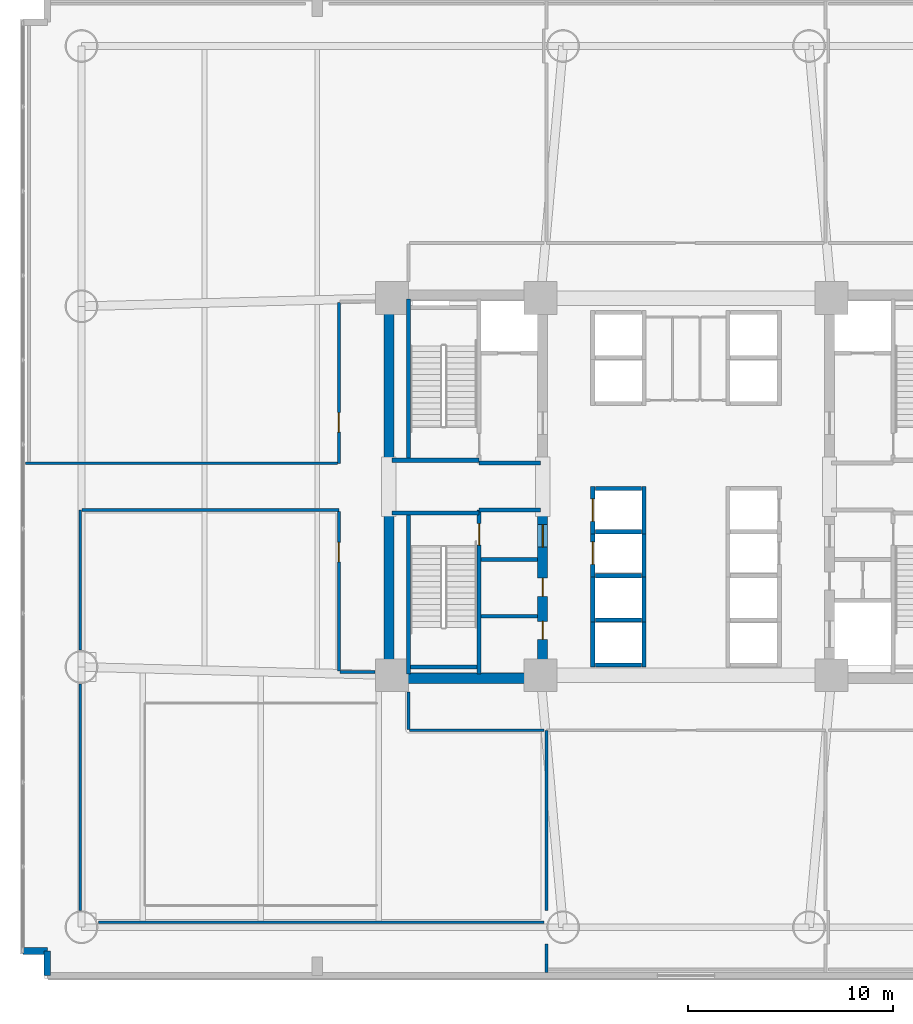
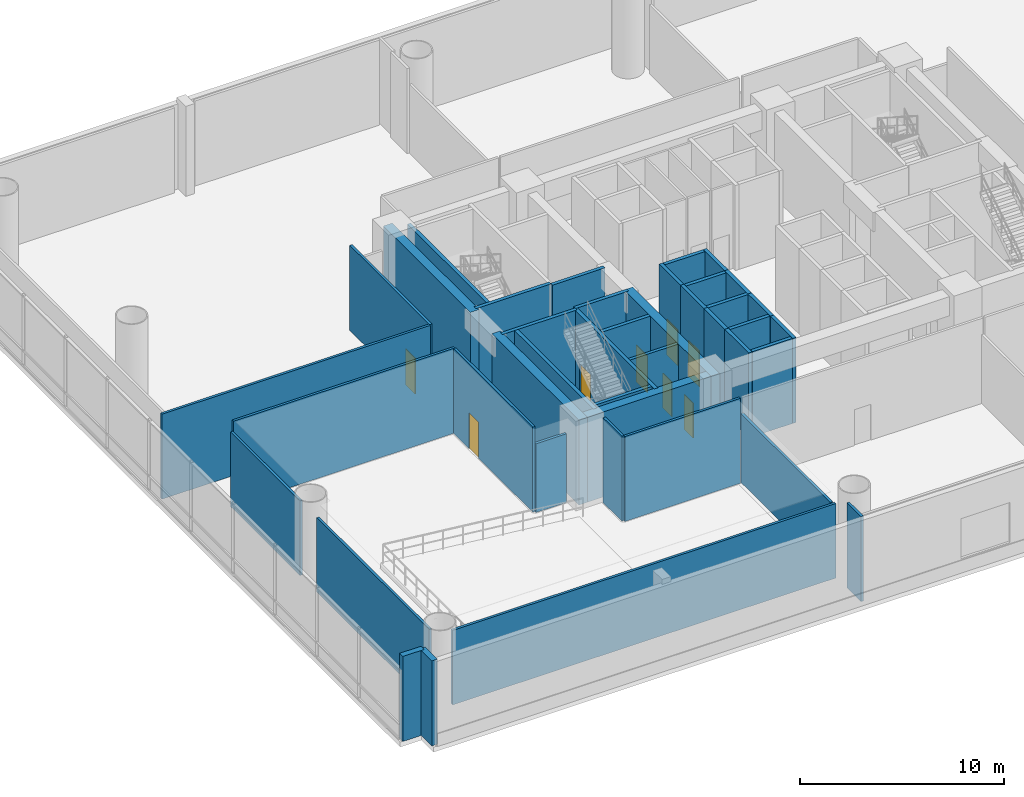
# One storey, part 7 of 15: 41 walls, 8 doors, 8 openings.
"""IFC4 building model written with IfcOpenShell, lengths in metres."""

from ifc_helpers import new_model, si_unit, direction, frame, frame_2d, origin, place, context, subcontext, project, spatial, rectangle, extrude, source, transform, mapped, material, layer, layer_set, type_object, element, fill, save


model = new_model("IFC4")

# Units and contexts
model_context = context("Model", 3, precision=1e-05, world=origin(), true_north=direction((0.0, 1.0)))
body_context = subcontext(model_context, "Body", "Model", "MODEL_VIEW")
ifc_project = project(units=[si_unit("LENGTHUNIT", "METRE"), si_unit("AREAUNIT", "SQUARE_METRE"), si_unit("VOLUMEUNIT", "CUBIC_METRE"), si_unit("PLANEANGLEUNIT", "RADIAN"), si_unit("MASSUNIT", "GRAM", prefix="KILO")], contexts=[model_context])

# Site, building, storey
site_placement = place(None, origin())
site = spatial("IfcSite", under=ifc_project, at=site_placement, CompositionType="ELEMENT")
building_placement = place(site_placement, origin())
building = spatial("IfcBuilding", under=site, at=building_placement, Name="Zahravan Cultural Tower", CompositionType="ELEMENT")
storey_placement = place(building_placement, frame((0.0, 0.0, 12.60009765625)))
storey = spatial("IfcBuildingStorey", under=building, at=storey_placement, Name="L02", CompositionType="ELEMENT", Elevation=12.60009765625)

# Wall, openings, doors
ifc_material_1 = material(Name="Concrete C60/75", Category="concrete")
ifc_layer_1 = layer(ifc_material_1, 0.5)
ifc_layer_set_1 = layer_set([ifc_layer_1], Name="Concrete C60/75")
wall_type_1 = type_object("IfcWallType", Name="CW-SHEAR-500-C60", PredefinedType="SHEAR", material=ifc_layer_set_1)
wall_1_placement = place(storey_placement, frame((29.0, 17.39990234375, 0.0), z_axis=(0.0, 0.0, 1.0), x_axis=(0.0, 1.0, 0.0)))
wall_1 = element("IfcWall", 1, at=wall_1_placement, inside=storey, type_object=wall_type_1, Name="L02 Core Shear Wall CW-W-ES-L02", PredefinedType="SHEAR", context=body_context, shape_type="SweptSolid", body=[
    extrude(rectangle(XDim=8.550048828125, YDim=0.5, at=frame_2d((4.27490234375, 0.0))), origin(), (0.0, 0.0, 1.0), 5.099853515625),
])
opening_1_placement = place(wall_1_placement, frame((6.64990234375, 0.0, 0.0)))
opening_1 = element("IfcOpeningElement", 2, at=opening_1_placement, cuts=wall_1, Name="Opening D-L02-07", PredefinedType="OPENING", context=body_context, shape_type="SweptSolid", body=[
    extrude(rectangle(XDim=1.10009765625, YDim=2.199951171875, at=frame_2d((0.550048828125, 1.10009765625))), frame((0.0, 0.260009765625, 0.0), z_axis=(0.0, -1.0, 0.0), x_axis=(1.0, 0.0, 0.0)), (0.0, 0.0, 1.0), 0.52001953125),
])
opening_2_placement = place(wall_1_placement, frame((2.14990234375, 0.0, 0.0)))
opening_2 = element("IfcOpeningElement", 3, at=opening_2_placement, cuts=wall_1, Name="Opening D-L02-09", PredefinedType="OPENING", context=body_context, shape_type="SweptSolid", body=[
    extrude(rectangle(XDim=0.8798828125, YDim=2.10009765625, at=frame_2d((0.43994140625, 1.050048828125))), frame((0.0, 0.260009765625, 0.0), z_axis=(0.0, -1.0, 0.0), x_axis=(1.0, 0.0, 0.0)), (0.0, 0.0, 1.0), 0.52001953125),
])
opening_3_placement = place(wall_1_placement, frame((4.25, 0.0, 0.0)))
opening_3 = element("IfcOpeningElement", 4, at=opening_3_placement, cuts=wall_1, Name="Opening D-L02-10", PredefinedType="OPENING", context=body_context, shape_type="SweptSolid", body=[
    extrude(rectangle(XDim=0.8798828125, YDim=2.10009765625, at=frame_2d((0.43994140625, 1.050048828125))), frame((0.0, 0.260009765625, 0.0), z_axis=(0.0, -1.0, 0.0), x_axis=(1.0, 0.0, 0.0)), (0.0, 0.0, 1.0), 0.52001953125),
])
ifc_material_2 = material(Name="Steel ASTM A572 Grade 50", Category="steel")
door_type_1 = type_object("IfcDoorType", Name="DR-LOBBY-1100", OperationType="NOTDEFINED", PredefinedType="DOOR", material=ifc_material_2)
shared_shape_1 = source(origin(), body_context, "Body", "SweptSolid", [
    extrude(rectangle(XDim=1.10009765625, YDim=2.199951171875, at=frame_2d((0.550048828125, 1.10009765625))), frame((0.0, 0.02490234375, 0.0), z_axis=(0.0, -1.0, 0.0), x_axis=(1.0, 0.0, 0.0)), (0.0, 0.0, 1.0), 0.050048828125),
])
door_1_placement = place(opening_1_placement, origin())
door_1 = element("IfcDoor", 5, at=door_1_placement, inside=storey, type_object=door_type_1, Name="L02 Door D-L02-07", OperationType="SINGLE_SWING_RIGHT", OverallHeight=2.199951171875, OverallWidth=1.10009765625, PredefinedType="DOOR", context=body_context, shape_type="MappedRepresentation", body=[
    mapped(shared_shape_1, transform((0.0, 0.0, 0.0), x_axis=(1.0, 0.0, 0.0), y_axis=(0.0, 1.0, 0.0), z_axis=(0.0, 0.0, 1.0), scale=1.0)),
])
fill(opening_1, door_1)
door_type_2 = type_object("IfcDoorType", Name="DR-SVC-880", OperationType="NOTDEFINED", PredefinedType="DOOR", material=ifc_material_2)
shared_shape_2 = source(origin(), body_context, "Body", "SweptSolid", [
    extrude(rectangle(XDim=0.8798828125, YDim=2.10009765625, at=frame_2d((0.43994140625, 1.050048828125))), frame((0.0, 0.02490234375, 0.0), z_axis=(0.0, -1.0, 0.0), x_axis=(1.0, 0.0, 0.0)), (0.0, 0.0, 1.0), 0.050048828125),
])
door_2_placement = place(opening_2_placement, origin())
door_2 = element("IfcDoor", 6, at=door_2_placement, inside=storey, type_object=door_type_2, Name="L02 Door D-L02-09", OperationType="SINGLE_SWING_RIGHT", OverallHeight=2.10009765625, OverallWidth=0.8798828125, PredefinedType="DOOR", context=body_context, shape_type="MappedRepresentation", body=[
    mapped(shared_shape_2, transform((0.0, 0.0, 0.0), x_axis=(1.0, 0.0, 0.0), y_axis=(0.0, 1.0, 0.0), z_axis=(0.0, 0.0, 1.0), scale=1.0)),
])
fill(opening_2, door_2)
door_3_placement = place(opening_3_placement, origin())
door_3 = element("IfcDoor", 7, at=door_3_placement, inside=storey, type_object=door_type_2, Name="L02 Door D-L02-10", OperationType="SINGLE_SWING_LEFT", OverallHeight=2.10009765625, OverallWidth=0.8798828125, PredefinedType="DOOR", context=body_context, shape_type="MappedRepresentation", body=[
    mapped(shared_shape_2, transform((0.0, 0.0, 0.0), x_axis=(1.0, 0.0, 0.0), y_axis=(0.0, 1.0, 0.0), z_axis=(0.0, 0.0, 1.0), scale=1.0)),
])
fill(opening_3, door_3)

# Wall, opening, door
ifc_material_3 = material(Name="Gypsum plasterboard partition")
ifc_layer_2 = layer(ifc_material_3, 0.139892578125)
ifc_layer_set_2 = layer_set([ifc_layer_2], Name="Gypsum plasterboard partition")
wall_type_2 = type_object("IfcWallType", Name="W-PART-140", PredefinedType="PARTITIONING", material=ifc_layer_set_2)
wall_2_placement = place(storey_placement, frame((19.06005859375, 25.784912109375, 0.0), z_axis=(0.0, 0.0, 1.0), x_axis=(0.0, -1.0, 0.0)))
wall_2 = element("IfcWall", 8, at=wall_2_placement, inside=storey, type_object=wall_type_2, Name="L02 Interior Wall 092", PredefinedType="PARTITIONING", context=body_context, shape_type="SweptSolid", body=[
    extrude(rectangle(XDim=7.777587890625, YDim=0.139892578125, at=frame_2d((3.888671875, 0.0))), origin(), (0.0, 0.0, 1.0), 5.099853515625),
])
opening_4_placement = place(wall_2_placement, frame((1.502197265625, 0.0, 0.0)))
opening_4 = element("IfcOpeningElement", 9, at=opening_4_placement, cuts=wall_2, Name="Opening D-L02-16", PredefinedType="OPENING", context=body_context, shape_type="SweptSolid", body=[
    extrude(rectangle(XDim=0.949951171875, YDim=2.14990234375, at=frame_2d((0.47509765625, 1.074951171875))), frame((0.0, 0.079833984375, 0.0), z_axis=(0.0, -1.0, 0.0), x_axis=(1.0, 0.0, 0.0)), (0.0, 0.0, 1.0), 0.159912109375),
])
ifc_material_4 = material(Name="Anodised bronze-aluminium mullion", Category="aluminium")
door_type_3 = type_object("IfcDoorType", Name="DR-ROOM-950", OperationType="NOTDEFINED", PredefinedType="DOOR", material=ifc_material_4)
shared_shape_3 = source(origin(), body_context, "Body", "SweptSolid", [
    extrude(rectangle(XDim=0.949951171875, YDim=2.14990234375, at=frame_2d((0.47509765625, 1.074951171875))), frame((0.0, 0.02490234375, 0.0), z_axis=(0.0, -1.0, 0.0), x_axis=(1.0, 0.0, 0.0)), (0.0, 0.0, 1.0), 0.050048828125),
])
door_4_placement = place(opening_4_placement, origin())
door_4 = element("IfcDoor", 10, at=door_4_placement, inside=storey, type_object=door_type_3, Name="L02 Door D-L02-16", OperationType="SINGLE_SWING_LEFT", OverallHeight=2.14990234375, OverallWidth=0.949951171875, PredefinedType="DOOR", context=body_context, shape_type="MappedRepresentation", body=[
    mapped(shared_shape_3, transform((0.0, 0.0, 0.0), x_axis=(1.0, 0.0, 0.0), y_axis=(0.0, 1.0, 0.0), z_axis=(0.0, 0.0, 1.0), scale=1.0)),
])
fill(opening_4, door_4)

wall_3_placement = place(storey_placement, frame((19.06005859375, 35.994140625, 0.0), z_axis=(0.0, 0.0, 1.0), x_axis=(0.0, -1.0, 0.0)))
wall_3 = element("IfcWall", 11, at=wall_3_placement, inside=storey, type_object=wall_type_2, Name="L02 Interior Wall 100", PredefinedType="PARTITIONING", context=body_context, shape_type="SweptSolid", body=[
    extrude(rectangle(XDim=7.854248046875, YDim=0.139892578125, at=frame_2d((3.92724609375, 0.0))), origin(), (0.0, 0.0, 1.0), 5.099853515625),
])
opening_5_placement = place(wall_3_placement, frame((5.38525390625, 0.0, 0.0)))
opening_5 = element("IfcOpeningElement", 12, at=opening_5_placement, cuts=wall_3, Name="Opening D-L02-17", PredefinedType="OPENING", context=body_context, shape_type="SweptSolid", body=[
    extrude(rectangle(XDim=0.949951171875, YDim=2.14990234375, at=frame_2d((0.47509765625, 1.074951171875))), frame((0.0, 0.079833984375, 0.0), z_axis=(0.0, -1.0, 0.0), x_axis=(1.0, 0.0, 0.0)), (0.0, 0.0, 1.0), 0.159912109375),
])
door_5_placement = place(opening_5_placement, origin())
door_5 = element("IfcDoor", 13, at=door_5_placement, inside=storey, type_object=door_type_3, Name="L02 Door D-L02-17", OperationType="SINGLE_SWING_RIGHT", OverallHeight=2.14990234375, OverallWidth=0.949951171875, PredefinedType="DOOR", context=body_context, shape_type="MappedRepresentation", body=[
    mapped(shared_shape_3, transform((0.0, 0.0, 0.0), x_axis=(1.0, 0.0, 0.0), y_axis=(0.0, 1.0, 0.0), z_axis=(0.0, 0.0, 1.0), scale=1.0)),
])
fill(opening_5, door_5)

ifc_material_5 = material(Name="Concrete C45/55", Category="concrete")
ifc_layer_3 = layer(ifc_material_5, 0.199951171875)
ifc_layer_set_3 = layer_set([ifc_layer_3], Name="Concrete C45/55")
wall_type_3 = type_object("IfcWallType", Name="W-SHAFT-200", PredefinedType="SOLIDWALL", material=ifc_layer_set_3)
wall_4_placement = place(storey_placement, frame((25.89990234375, 17.85009765625, 0.0), z_axis=(0.0, 0.0, 1.0), x_axis=(0.0, 1.0, 0.0)))
wall_4 = element("IfcWall", 14, at=wall_4_placement, inside=storey, type_object=wall_type_3, Name="L02 Interior Wall 005", PredefinedType="SOLIDWALL", context=body_context, shape_type="SweptSolid", body=[
    extrude(rectangle(XDim=8.0, YDim=0.199951171875, at=frame_2d((4.0, 0.0))), origin(), (0.0, 0.0, 1.0), 5.099853515625),
])
opening_6_placement = place(wall_4_placement, frame((6.300048828125, 0.0, 0.0)))
opening_6 = element("IfcOpeningElement", 15, at=opening_6_placement, cuts=wall_4, Name="Opening D-L02-04", PredefinedType="OPENING", context=body_context, shape_type="SweptSolid", body=[
    extrude(rectangle(XDim=1.050048828125, YDim=2.14990234375, at=frame_2d((0.52490234375, 1.074951171875))), frame((0.0, 0.10986328125, 0.0), z_axis=(0.0, -1.0, 0.0), x_axis=(1.0, 0.0, 0.0)), (0.0, 0.0, 1.0), 0.219970703125),
])
door_type_4 = type_object("IfcDoorType", Name="DR-STAIR-1050", OperationType="NOTDEFINED", PredefinedType="DOOR", material=ifc_material_2)
shared_shape_4 = source(origin(), body_context, "Body", "SweptSolid", [
    extrude(rectangle(XDim=1.050048828125, YDim=2.14990234375, at=frame_2d((0.52490234375, 1.074951171875))), frame((0.0, 0.02490234375, 0.0), z_axis=(0.0, -1.0, 0.0), x_axis=(1.0, 0.0, 0.0)), (0.0, 0.0, 1.0), 0.050048828125),
])
door_6_placement = place(opening_6_placement, origin())
door_6 = element("IfcDoor", 16, at=door_6_placement, inside=storey, type_object=door_type_4, Name="L02 Door D-L02-04", OperationType="SINGLE_SWING_LEFT", OverallHeight=2.14990234375, OverallWidth=1.050048828125, PredefinedType="DOOR", context=body_context, shape_type="MappedRepresentation", body=[
    mapped(shared_shape_4, transform((0.0, 0.0, 0.0), x_axis=(1.0, 0.0, 0.0), y_axis=(0.0, 1.0, 0.0), z_axis=(0.0, 0.0, 1.0), scale=1.0)),
])
fill(opening_6, door_6)

wall_5_placement = place(storey_placement, frame((31.449951171875, 24.699951171875, 0.0), z_axis=(0.0, 0.0, 1.0), x_axis=(0.0, 1.0, 0.0)))
wall_5 = element("IfcWall", 17, at=wall_5_placement, inside=storey, type_object=wall_type_3, Name="L02 Interior Wall 056", PredefinedType="SOLIDWALL", context=body_context, shape_type="SweptSolid", body=[
    extrude(rectangle(XDim=2.300048828125, YDim=0.199951171875, at=frame_2d((1.14990234375, 0.0))), origin(), (0.0, 0.0, 1.0), 5.099853515625),
])
opening_7_placement = place(wall_5_placement, frame((0.60009765625, 0.0, 0.0)))
opening_7 = element("IfcOpeningElement", 18, at=opening_7_placement, cuts=wall_5, Name="Opening LD-L02-04", PredefinedType="OPENING", context=body_context, shape_type="SweptSolid", body=[
    extrude(rectangle(XDim=1.10009765625, YDim=2.14990234375, at=frame_2d((0.550048828125, 1.074951171875))), frame((0.0, 0.10986328125, 0.0), z_axis=(0.0, -1.0, 0.0), x_axis=(1.0, 0.0, 0.0)), (0.0, 0.0, 1.0), 0.219970703125),
])
door_type_5 = type_object("IfcDoorType", Name="DR-LIFT-1100", OperationType="DOUBLE_DOOR_SLIDING", PredefinedType="DOOR", material=ifc_material_2)
shared_shape_5 = source(origin(), body_context, "Body", "SweptSolid", [
    extrude(rectangle(XDim=1.10009765625, YDim=2.14990234375, at=frame_2d((0.550048828125, 1.074951171875))), frame((0.0, 0.02490234375, 0.0), z_axis=(0.0, -1.0, 0.0), x_axis=(1.0, 0.0, 0.0)), (0.0, 0.0, 1.0), 0.050048828125),
])
door_7_placement = place(opening_7_placement, origin())
door_7 = element("IfcDoor", 19, at=door_7_placement, inside=storey, type_object=door_type_5, Name="L02 Door LD-L02-04", OperationType="DOUBLE_DOOR_SLIDING", OverallHeight=2.14990234375, OverallWidth=1.10009765625, PredefinedType="DOOR", context=body_context, shape_type="MappedRepresentation", body=[
    mapped(shared_shape_5, transform((0.0, 0.0, 0.0), x_axis=(1.0, 0.0, 0.0), y_axis=(0.0, 1.0, 0.0), z_axis=(0.0, 0.0, 1.0), scale=1.0)),
])
fill(opening_7, door_7)

wall_6_placement = place(storey_placement, frame((31.449951171875, 22.60009765625, 0.0), z_axis=(0.0, 0.0, 1.0), x_axis=(0.0, 1.0, 0.0)))
wall_6 = element("IfcWall", 20, at=wall_6_placement, inside=storey, type_object=wall_type_3, Name="L02 Interior Wall 060", PredefinedType="SOLIDWALL", context=body_context, shape_type="SweptSolid", body=[
    extrude(rectangle(XDim=2.2998046875, YDim=0.199951171875, at=frame_2d((1.14990234375, 0.0))), origin(), (0.0, 0.0, 1.0), 5.099853515625),
])
opening_8_placement = place(wall_6_placement, frame((0.60009765625, 0.0, 0.0)))
opening_8 = element("IfcOpeningElement", 21, at=opening_8_placement, cuts=wall_6, Name="Opening LD-L02-05", PredefinedType="OPENING", context=body_context, shape_type="SweptSolid", body=[
    extrude(rectangle(XDim=1.10009765625, YDim=2.14990234375, at=frame_2d((0.550048828125, 1.074951171875))), frame((0.0, 0.10986328125, 0.0), z_axis=(0.0, -1.0, 0.0), x_axis=(1.0, 0.0, 0.0)), (0.0, 0.0, 1.0), 0.219970703125),
])
door_8_placement = place(opening_8_placement, origin())
door_8 = element("IfcDoor", 22, at=door_8_placement, inside=storey, type_object=door_type_5, Name="L02 Door LD-L02-05", OperationType="DOUBLE_DOOR_SLIDING", OverallHeight=2.14990234375, OverallWidth=1.10009765625, PredefinedType="DOOR", context=body_context, shape_type="MappedRepresentation", body=[
    mapped(shared_shape_5, transform((0.0, 0.0, 0.0), x_axis=(1.0, 0.0, 0.0), y_axis=(0.0, 1.0, 0.0), z_axis=(0.0, 0.0, 1.0), scale=1.0)),
])
fill(opening_8, door_8)

# Walls
shared_shape_6 = source(origin(), body_context, "Body", "SweptSolid", [
    extrude(rectangle(XDim=8.550048828125, YDim=0.5, at=frame_2d((4.27490234375, 0.0))), origin(), (0.0, 0.0, 1.0), 5.099853515625),
])
for number, where, z_axis, x_axis, name in (
    (23, (21.5, 17.39990234375, 0.0), (0.0, 0.0, 1.0), (0.0, 1.0, 0.0), "L02 Core Shear Wall CW-W-WS-L02"),
    (24, (21.5, 28.050048828125, 0.0), (0.0, 0.0, 1.0), (0.0, 1.0, 0.0), "L02 Core Shear Wall CW-W-WN-L02"),
):
    element("IfcWall", number, at=place(storey_placement, frame(where, z_axis=z_axis, x_axis=x_axis)), inside=storey, type_object=wall_type_1, Name=name, PredefinedType="SHEAR", context=body_context, shape_type="MappedRepresentation", body=[
        mapped(shared_shape_6, transform((0.0, 0.0, 0.0), x_axis=(1.0, 0.0, 0.0), y_axis=(0.0, 1.0, 0.0), z_axis=(0.0, 0.0, 1.0), scale=1.0)),
    ])
shared_shape_7 = source(origin(), body_context, "Body", "SweptSolid", [
    extrude(rectangle(XDim=7.0, YDim=0.5, at=frame_2d((3.5, 0.0))), origin(), (0.0, 0.0, 1.0), 5.099853515625),
])
wall_7_placement = place(storey_placement, frame((21.75, 17.64990234375, 0.0), z_axis=(0.0, 0.0, 1.0), x_axis=(1.0, 0.0, 0.0)))
element("IfcWall", 25, at=wall_7_placement, inside=storey, type_object=wall_type_1, Name="L02 Core Shear Wall CW-W-S-L02", PredefinedType="SHEAR", context=body_context, shape_type="MappedRepresentation", body=[
    mapped(shared_shape_7, transform((0.0, 0.0, 0.0), x_axis=(1.0, 0.0, 0.0), y_axis=(0.0, 1.0, 0.0), z_axis=(0.0, 0.0, 1.0), scale=1.0)),
])
ifc_material_6 = material(Name="Precast concrete C40/50", Category="concrete")
ifc_layer_4 = layer(ifc_material_6, 0.320068359375)
ifc_layer_set_4 = layer_set([ifc_layer_4], Name="Precast concrete C40/50")
wall_type_4 = type_object("IfcWallType", Name="EW-TC-320", PredefinedType="SOLIDWALL", material=ifc_layer_set_4)
shared_shape_8 = source(origin(), body_context, "Body", "SweptSolid", [
    extrude(rectangle(XDim=1.2001953125, YDim=0.320068359375, at=frame_2d((0.60009765625, 0.0))), origin(), (0.0, 0.0, 1.0), 5.099853515625),
])
for number, where, z_axis, x_axis, name in (
    (26, (4.840087890625, 3.139892578125, 0.0), (0.0, 0.0, 1.0), (0.0, 1.0, 0.0), "L02 Exterior Masonry Frame Wall 04"),
    (27, (4.840087890625, 4.340087890625, 0.0), (0.0, 0.0, 1.0), (-1.0, 0.0, 0.0), "L02 Exterior Masonry Frame Wall 05"),
):
    element("IfcWall", number, at=place(storey_placement, frame(where, z_axis=z_axis, x_axis=x_axis)), inside=storey, type_object=wall_type_4, Name=name, PredefinedType="SOLIDWALL", context=body_context, shape_type="MappedRepresentation", body=[
        mapped(shared_shape_8, transform((0.0, 0.0, 0.0), x_axis=(1.0, 0.0, 0.0), y_axis=(0.0, 1.0, 0.0), z_axis=(0.0, 0.0, 1.0), scale=1.0)),
    ])
shared_shape_9 = source(origin(), body_context, "Body", "SweptSolid", [
    extrude(rectangle(XDim=7.869873046875, YDim=0.199951171875, at=frame_2d((3.93505859375, 0.0))), origin(), (0.0, 0.0, 1.0), 5.099853515625),
])
for number, where, z_axis, x_axis, name in (
    (28, (22.449951171875, 17.85009765625, 0.0), (0.0, 0.0, 1.0), (0.0, 1.0, 0.0), "L02 Interior Wall 001"),
    (29, (22.449951171875, 28.280029296875, 0.0), (0.0, 0.0, 1.0), (0.0, 1.0, 0.0), "L02 Interior Wall 002"),
):
    element("IfcWall", number, at=place(storey_placement, frame(where, z_axis=z_axis, x_axis=x_axis)), inside=storey, type_object=wall_type_3, Name=name, PredefinedType="SOLIDWALL", context=body_context, shape_type="MappedRepresentation", body=[
        mapped(shared_shape_9, transform((0.0, 0.0, 0.0), x_axis=(1.0, 0.0, 0.0), y_axis=(0.0, 1.0, 0.0), z_axis=(0.0, 0.0, 1.0), scale=1.0)),
    ])
shared_shape_10 = source(origin(), body_context, "Body", "SweptSolid", [
    extrude(rectangle(XDim=4.25, YDim=0.199951171875, at=frame_2d((2.125, 0.0))), origin(), (0.0, 0.0, 1.0), 5.099853515625),
])
for number, where, z_axis, x_axis, name in (
    (30, (21.64990234375, 25.715087890625, 0.0), (0.0, 0.0, 1.0), (1.0, 0.0, 0.0), "L02 Interior Wall 009"),
    (31, (21.64990234375, 28.284912109375, 0.0), (0.0, 0.0, 1.0), (1.0, 0.0, 0.0), "L02 Interior Wall 011"),
):
    element("IfcWall", number, at=place(storey_placement, frame(where, z_axis=z_axis, x_axis=x_axis)), inside=storey, type_object=wall_type_3, Name=name, PredefinedType="SOLIDWALL", context=body_context, shape_type="MappedRepresentation", body=[
        mapped(shared_shape_10, transform((0.0, 0.0, 0.0), x_axis=(1.0, 0.0, 0.0), y_axis=(0.0, 1.0, 0.0), z_axis=(0.0, 0.0, 1.0), scale=1.0)),
    ])
shared_shape_11 = source(origin(), body_context, "Body", "SweptSolid", [
    extrude(rectangle(XDim=3.0, YDim=0.199951171875, at=frame_2d((1.5, 0.0))), origin(), (0.0, 0.0, 1.0), 5.099853515625),
])
for number, where, z_axis, x_axis, name in (
    (32, (25.89990234375, 25.85009765625, 0.0), (0.0, 0.0, 1.0), (1.0, 0.0, 0.0), "L02 Interior Wall 010"),
    (33, (25.89990234375, 28.14990234375, 0.0), (0.0, 0.0, 1.0), (1.0, 0.0, 0.0), "L02 Interior Wall 012"),
):
    element("IfcWall", number, at=place(storey_placement, frame(where, z_axis=z_axis, x_axis=x_axis)), inside=storey, type_object=wall_type_3, Name=name, PredefinedType="SOLIDWALL", context=body_context, shape_type="MappedRepresentation", body=[
        mapped(shared_shape_11, transform((0.0, 0.0, 0.0), x_axis=(1.0, 0.0, 0.0), y_axis=(0.0, 1.0, 0.0), z_axis=(0.0, 0.0, 1.0), scale=1.0)),
    ])
shared_shape_12 = source(origin(), body_context, "Body", "SweptSolid", [
    extrude(rectangle(XDim=3.25, YDim=0.199951171875, at=frame_2d((1.625, 0.0))), origin(), (0.0, 0.0, 1.0), 5.099853515625),
])
wall_8_placement = place(storey_placement, frame((22.550048828125, 18.199951171875, 0.0), z_axis=(0.0, 0.0, 1.0), x_axis=(1.0, 0.0, 0.0)))
element("IfcWall", 34, at=wall_8_placement, inside=storey, type_object=wall_type_3, Name="L02 Interior Wall 019", PredefinedType="SOLIDWALL", context=body_context, shape_type="MappedRepresentation", body=[
    mapped(shared_shape_12, transform((0.0, 0.0, 0.0), x_axis=(1.0, 0.0, 0.0), y_axis=(0.0, 1.0, 0.0), z_axis=(0.0, 0.0, 1.0), scale=1.0)),
])
shared_shape_13 = source(origin(), body_context, "Body", "SweptSolid", [
    extrude(rectangle(XDim=2.75, YDim=0.199951171875, at=frame_2d((1.375, 0.0))), origin(), (0.0, 0.0, 1.0), 5.099853515625),
])
wall_9_placement = place(storey_placement, frame((26.0, 23.449951171875, 0.0), z_axis=(0.0, 0.0, 1.0), x_axis=(1.0, 0.0, 0.0)))
element("IfcWall", 35, at=wall_9_placement, inside=storey, type_object=wall_type_3, Name="L02 Interior Wall 023", PredefinedType="SOLIDWALL", context=body_context, shape_type="MappedRepresentation", body=[
    mapped(shared_shape_13, transform((0.0, 0.0, 0.0), x_axis=(1.0, 0.0, 0.0), y_axis=(0.0, 1.0, 0.0), z_axis=(0.0, 0.0, 1.0), scale=1.0)),
])
ifc_layer_5 = layer(ifc_material_3, 0.179931640625)
ifc_layer_set_5 = layer_set([ifc_layer_5], Name="Gypsum plasterboard partition")
wall_type_5 = type_object("IfcWallType", Name="W-COMP-180", PredefinedType="PARTITIONING", material=ifc_layer_set_5)
shared_shape_14 = source(origin(), body_context, "Body", "SweptSolid", [
    extrude(rectangle(XDim=2.75, YDim=0.179931640625, at=frame_2d((1.375, 0.0))), origin(), (0.0, 0.0, 1.0), 5.099853515625),
])
wall_10_placement = place(storey_placement, frame((26.0, 20.679931640625, 0.0), z_axis=(0.0, 0.0, 1.0), x_axis=(1.0, 0.0, 0.0)))
element("IfcWall", 36, at=wall_10_placement, inside=storey, type_object=wall_type_5, Name="L02 Interior Wall 026", PredefinedType="PARTITIONING", context=body_context, shape_type="MappedRepresentation", body=[
    mapped(shared_shape_14, transform((0.0, 0.0, 0.0), x_axis=(1.0, 0.0, 0.0), y_axis=(0.0, 1.0, 0.0), z_axis=(0.0, 0.0, 1.0), scale=1.0)),
])
shared_shape_15 = source(origin(), body_context, "Body", "SweptSolid", [
    extrude(rectangle(XDim=2.260009765625, YDim=0.199951171875, at=frame_2d((1.1298828125, 0.0))), origin(), (0.0, 0.0, 1.0), 5.099853515625),
])
for number, where, z_axis, x_axis, name in (
    (37, (31.570068359375, 20.5, 0.0), (0.0, 0.0, 1.0), (1.0, 0.0, 0.0), "L02 Interior Wall 044"),
    (38, (31.570068359375, 22.64990234375, 0.0), (0.0, 0.0, 1.0), (1.0, 0.0, 0.0), "L02 Interior Wall 045"),
    (39, (31.570068359375, 18.300048828125, 0.0), (0.0, 0.0, 1.0), (1.0, 0.0, 0.0), "L02 Interior Wall 048"),
    (40, (31.570068359375, 24.800048828125, 0.0), (0.0, 0.0, 1.0), (1.0, 0.0, 0.0), "L02 Interior Wall 058"),
    (41, (31.570068359375, 26.89990234375, 0.0), (0.0, 0.0, 1.0), (1.0, 0.0, 0.0), "L02 Interior Wall 059"),
):
    element("IfcWall", number, at=place(storey_placement, frame(where, z_axis=z_axis, x_axis=x_axis)), inside=storey, type_object=wall_type_3, Name=name, PredefinedType="SOLIDWALL", context=body_context, shape_type="MappedRepresentation", body=[
        mapped(shared_shape_15, transform((0.0, 0.0, 0.0), x_axis=(1.0, 0.0, 0.0), y_axis=(0.0, 1.0, 0.0), z_axis=(0.0, 0.0, 1.0), scale=1.0)),
    ])
shared_shape_16 = source(origin(), body_context, "Body", "SweptSolid", [
    extrude(rectangle(XDim=2.35009765625, YDim=0.199951171875, at=frame_2d((1.175048828125, 0.0))), origin(), (0.0, 0.0, 1.0), 5.099853515625),
])
for number, where, z_axis, x_axis, name in (
    (42, (31.449951171875, 20.39990234375, 0.0), (0.0, 0.0, 1.0), (0.0, 1.0, 0.0), "L02 Interior Wall 042"),
    (43, (33.949951171875, 20.39990234375, 0.0), (0.0, 0.0, 1.0), (0.0, 1.0, 0.0), "L02 Interior Wall 043"),
    (44, (31.449951171875, 18.199951171875, 0.0), (0.0, 0.0, 1.0), (0.0, 1.0, 0.0), "L02 Interior Wall 046"),
    (45, (33.949951171875, 18.199951171875, 0.0), (0.0, 0.0, 1.0), (0.0, 1.0, 0.0), "L02 Interior Wall 047"),
):
    element("IfcWall", number, at=place(storey_placement, frame(where, z_axis=z_axis, x_axis=x_axis)), inside=storey, type_object=wall_type_3, Name=name, PredefinedType="SOLIDWALL", context=body_context, shape_type="MappedRepresentation", body=[
        mapped(shared_shape_16, transform((0.0, 0.0, 0.0), x_axis=(1.0, 0.0, 0.0), y_axis=(0.0, 1.0, 0.0), z_axis=(0.0, 0.0, 1.0), scale=1.0)),
    ])
shared_shape_17 = source(origin(), body_context, "Body", "SweptSolid", [
    extrude(rectangle(XDim=2.300048828125, YDim=0.199951171875, at=frame_2d((1.14990234375, 0.0))), origin(), (0.0, 0.0, 1.0), 5.099853515625),
])
wall_11_placement = place(storey_placement, frame((33.949951171875, 24.699951171875, 0.0), z_axis=(0.0, 0.0, 1.0), x_axis=(0.0, 1.0, 0.0)))
element("IfcWall", 46, at=wall_11_placement, inside=storey, type_object=wall_type_3, Name="L02 Interior Wall 057", PredefinedType="SOLIDWALL", context=body_context, shape_type="MappedRepresentation", body=[
    mapped(shared_shape_17, transform((0.0, 0.0, 0.0), x_axis=(1.0, 0.0, 0.0), y_axis=(0.0, 1.0, 0.0), z_axis=(0.0, 0.0, 1.0), scale=1.0)),
])
shared_shape_18 = source(origin(), body_context, "Body", "SweptSolid", [
    extrude(rectangle(XDim=2.2998046875, YDim=0.199951171875, at=frame_2d((1.14990234375, 0.0))), origin(), (0.0, 0.0, 1.0), 5.099853515625),
])
wall_12_placement = place(storey_placement, frame((33.949951171875, 22.60009765625, 0.0), z_axis=(0.0, 0.0, 1.0), x_axis=(0.0, 1.0, 0.0)))
element("IfcWall", 47, at=wall_12_placement, inside=storey, type_object=wall_type_3, Name="L02 Interior Wall 061", PredefinedType="SOLIDWALL", context=body_context, shape_type="MappedRepresentation", body=[
    mapped(shared_shape_18, transform((0.0, 0.0, 0.0), x_axis=(1.0, 0.0, 0.0), y_axis=(0.0, 1.0, 0.0), z_axis=(0.0, 0.0, 1.0), scale=1.0)),
])
shared_shape_19 = source(origin(), body_context, "Body", "SweptSolid", [
    extrude(rectangle(XDim=1.3798828125, YDim=0.139892578125, at=frame_2d((0.68994140625, 0.0))), origin(), (0.0, 0.0, 1.0), 5.099853515625),
])
wall_13_placement = place(storey_placement, frame((29.18994140625, 3.300048828125, 0.0), z_axis=(0.0, 0.0, 1.0), x_axis=(0.0, 1.0, 0.0)))
element("IfcWall", 48, at=wall_13_placement, inside=storey, type_object=wall_type_2, Name="L02 Interior Wall 077", PredefinedType="PARTITIONING", context=body_context, shape_type="MappedRepresentation", body=[
    mapped(shared_shape_19, transform((0.0, 0.0, 0.0), x_axis=(1.0, 0.0, 0.0), y_axis=(0.0, 1.0, 0.0), z_axis=(0.0, 0.0, 1.0), scale=1.0)),
])
shared_shape_20 = source(origin(), body_context, "Body", "SweptSolid", [
    extrude(rectangle(XDim=8.7900390625, YDim=0.139892578125, at=frame_2d((4.39501953125, 0.0))), origin(), (0.0, 0.0, 1.0), 4.126953125),
])
wall_14_placement = place(storey_placement, frame((29.18994140625, 6.320068359375, 0.0), z_axis=(0.0, 0.0, 1.0), x_axis=(0.0, 1.0, 0.0)))
element("IfcWall", 49, at=wall_14_placement, inside=storey, type_object=wall_type_2, Name="L02 Interior Wall 078", PredefinedType="PARTITIONING", context=body_context, shape_type="MappedRepresentation", body=[
    mapped(shared_shape_20, transform((0.0, 0.0, 0.0), x_axis=(1.0, 0.0, 0.0), y_axis=(0.0, 1.0, 0.0), z_axis=(0.0, 0.0, 1.0), scale=1.0)),
])
shared_shape_21 = source(origin(), body_context, "Body", "SweptSolid", [
    extrude(rectangle(XDim=21.739990234375, YDim=0.139892578125, at=frame_2d((10.8701171875, 0.0))), origin(), (0.0, 0.0, 1.0), 4.469970703125),
])
wall_15_placement = place(storey_placement, frame((29.06005859375, 5.739990234375, 0.0), z_axis=(0.0, 0.0, 1.0), x_axis=(-1.0, 0.0, 0.0)))
element("IfcWall", 50, at=wall_15_placement, inside=storey, type_object=wall_type_2, Name="L02 Interior Wall 088", PredefinedType="PARTITIONING", context=body_context, shape_type="MappedRepresentation", body=[
    mapped(shared_shape_21, transform((0.0, 0.0, 0.0), x_axis=(1.0, 0.0, 0.0), y_axis=(0.0, 1.0, 0.0), z_axis=(0.0, 0.0, 1.0), scale=1.0)),
])
shared_shape_22 = source(origin(), body_context, "Body", "SweptSolid", [
    extrude(rectangle(XDim=11.059814453125, YDim=0.139892578125, at=frame_2d((5.52978515625, 0.0))), origin(), (0.0, 0.0, 1.0), 4.469970703125),
])
wall_16_placement = place(storey_placement, frame((6.43994140625, 6.320068359375, 0.0), z_axis=(0.0, 0.0, 1.0), x_axis=(0.0, 1.0, 0.0)))
element("IfcWall", 51, at=wall_16_placement, inside=storey, type_object=wall_type_2, Name="L02 Interior Wall 089", PredefinedType="PARTITIONING", context=body_context, shape_type="MappedRepresentation", body=[
    mapped(shared_shape_22, transform((0.0, 0.0, 0.0), x_axis=(1.0, 0.0, 0.0), y_axis=(0.0, 1.0, 0.0), z_axis=(0.0, 0.0, 1.0), scale=1.0)),
])
shared_shape_23 = source(origin(), body_context, "Body", "SweptSolid", [
    extrude(rectangle(XDim=6.840087890625, YDim=0.139892578125, at=frame_2d((3.419921875, 0.0))), origin(), (0.0, 0.0, 1.0), 4.469970703125),
])
wall_17_placement = place(storey_placement, frame((6.43994140625, 19.02001953125, 0.0), z_axis=(0.0, 0.0, 1.0), x_axis=(0.0, 1.0, 0.0)))
element("IfcWall", 52, at=wall_17_placement, inside=storey, type_object=wall_type_2, Name="L02 Interior Wall 090", PredefinedType="PARTITIONING", context=body_context, shape_type="MappedRepresentation", body=[
    mapped(shared_shape_23, transform((0.0, 0.0, 0.0), x_axis=(1.0, 0.0, 0.0), y_axis=(0.0, 1.0, 0.0), z_axis=(0.0, 0.0, 1.0), scale=1.0)),
])
shared_shape_24 = source(origin(), body_context, "Body", "SweptSolid", [
    extrude(rectangle(XDim=12.545166015625, YDim=0.139892578125, at=frame_2d((6.2724609375, 0.0))), origin(), (0.0, 0.0, 1.0), 5.099853515625),
])
wall_18_placement = place(storey_placement, frame((6.514892578125, 25.860107421875, 0.0), z_axis=(0.0, 0.0, 1.0), x_axis=(1.0, 0.0, 0.0)))
element("IfcWall", 53, at=wall_18_placement, inside=storey, type_object=wall_type_2, Name="L02 Interior Wall 091", PredefinedType="PARTITIONING", context=body_context, shape_type="MappedRepresentation", body=[
    mapped(shared_shape_24, transform((0.0, 0.0, 0.0), x_axis=(1.0, 0.0, 0.0), y_axis=(0.0, 1.0, 0.0), z_axis=(0.0, 0.0, 1.0), scale=1.0)),
])
shared_shape_25 = source(origin(), body_context, "Body", "SweptSolid", [
    extrude(rectangle(XDim=1.72412109375, YDim=0.139892578125, at=frame_2d((0.862060546875, 0.0))), origin(), (0.0, 0.0, 1.0), 4.126953125),
])
wall_19_placement = place(storey_placement, frame((19.10595703125, 17.9599609375, 0.0), z_axis=(0.0, 0.0, 1.0), x_axis=(1.0, 0.0, 0.0)))
element("IfcWall", 54, at=wall_19_placement, inside=storey, type_object=wall_type_2, Name="L02 Interior Wall 093", PredefinedType="PARTITIONING", context=body_context, shape_type="MappedRepresentation", body=[
    mapped(shared_shape_25, transform((0.0, 0.0, 0.0), x_axis=(1.0, 0.0, 0.0), y_axis=(0.0, 1.0, 0.0), z_axis=(0.0, 0.0, 1.0), scale=1.0)),
])
shared_shape_26 = source(origin(), body_context, "Body", "SweptSolid", [
    extrude(rectangle(XDim=1.830810546875, YDim=0.139892578125, at=frame_2d((0.91552734375, 0.0))), origin(), (0.0, 0.0, 1.0), 5.099853515625),
])
wall_20_placement = place(storey_placement, frame((22.460205078125, 16.97998046875, 0.0), z_axis=(0.0, 0.0, 1.0), x_axis=(0.000133351112, -0.999999991109, 0.0)))
element("IfcWall", 55, at=wall_20_placement, inside=storey, type_object=wall_type_2, Name="L02 Interior Wall 094", PredefinedType="PARTITIONING", context=body_context, shape_type="MappedRepresentation", body=[
    mapped(shared_shape_26, transform((0.0, 0.0, 0.0), x_axis=(1.0, 0.0, 0.0), y_axis=(0.0, 1.0, 0.0), z_axis=(0.0, 0.0, 1.0), scale=1.0)),
])
shared_shape_27 = source(origin(), body_context, "Body", "SweptSolid", [
    extrude(rectangle(XDim=6.55419921875, YDim=0.139892578125, at=frame_2d((3.277099609375, 0.0))), origin(), (0.0, 0.0, 1.0), 5.099853515625),
])
wall_21_placement = place(storey_placement, frame((22.505859375, 15.110107421875, 0.0), z_axis=(0.0, 0.0, 1.0), x_axis=(1.0, 0.0, 0.0)))
element("IfcWall", 56, at=wall_21_placement, inside=storey, type_object=wall_type_2, Name="L02 Interior Wall 095", PredefinedType="PARTITIONING", context=body_context, shape_type="MappedRepresentation", body=[
    mapped(shared_shape_27, transform((0.0, 0.0, 0.0), x_axis=(1.0, 0.0, 0.0), y_axis=(0.0, 1.0, 0.0), z_axis=(0.0, 0.0, 1.0), scale=1.0)),
])
shared_shape_28 = source(origin(), body_context, "Body", "SweptSolid", [
    extrude(rectangle(XDim=15.22021484375, YDim=0.139892578125, at=frame_2d((7.610107421875, 0.0))), origin(), (0.0, 0.0, 1.0), 5.099853515625),
])
wall_22_placement = place(storey_placement, frame((18.985107421875, 28.139892578125, 0.0), z_axis=(0.0, 0.0, 1.0), x_axis=(-1.0, 0.0, 0.0)))
element("IfcWall", 57, at=wall_22_placement, inside=storey, type_object=wall_type_2, Name="L02 Interior Wall 101", PredefinedType="PARTITIONING", context=body_context, shape_type="MappedRepresentation", body=[
    mapped(shared_shape_28, transform((0.0, 0.0, 0.0), x_axis=(1.0, 0.0, 0.0), y_axis=(0.0, 1.0, 0.0), z_axis=(0.0, 0.0, 1.0), scale=1.0)),
])

save(model, "model.ifc")
